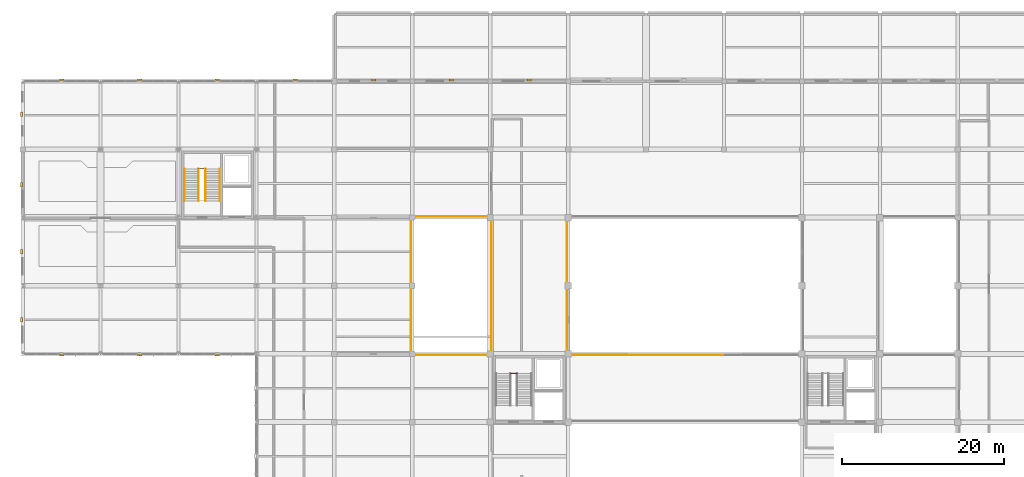
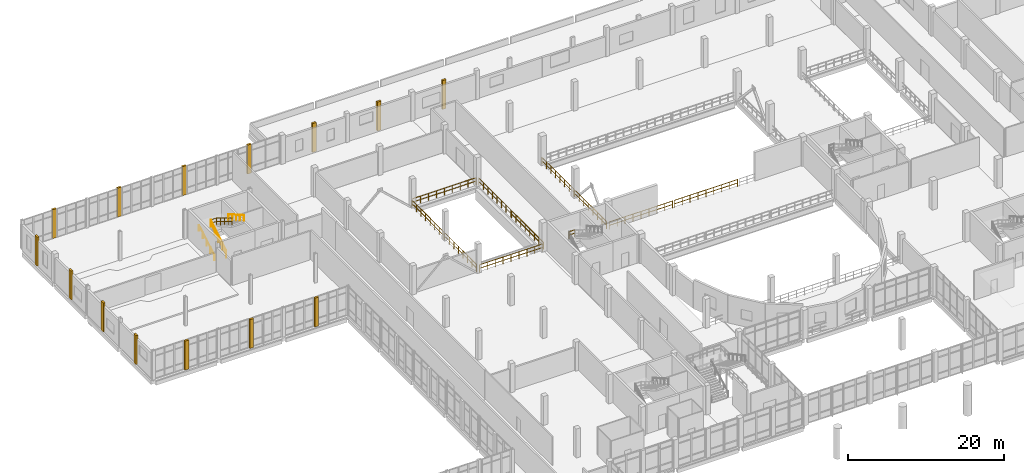
# One storey, part 99 of 102: 16 railings, 14 coverings.
"""IFC4 building model written with IfcOpenShell, lengths in metres."""

from ifc_helpers import new_model, si_unit, direction, frame, origin, origin_2d, place, context, subcontext, project, spatial, polyline, circle, outline, extrude, material, layer, layer_set, type_object, element, save


model = new_model("IFC4")

# Units and contexts
model_context = context("Model", 3, precision=1e-05, world=origin(), true_north=direction((0.0, 1.0)))
body_context = subcontext(model_context, "Body", "Model", "MODEL_VIEW")
ifc_project = project(units=[si_unit("LENGTHUNIT", "METRE"), si_unit("AREAUNIT", "SQUARE_METRE"), si_unit("VOLUMEUNIT", "CUBIC_METRE"), si_unit("PLANEANGLEUNIT", "RADIAN"), si_unit("MASSUNIT", "GRAM", prefix="KILO")], contexts=[model_context])

# Site, building, storey
site_placement = place(None, origin())
site = spatial("IfcSite", under=ifc_project, at=site_placement, CompositionType="ELEMENT")
building_placement = place(site_placement, origin())
building = spatial("IfcBuilding", under=site, at=building_placement, Name="Lornevale Opera House", CompositionType="ELEMENT")
storey_placement = place(building_placement, frame((0.0, 0.0, 5.39990234375)))
storey = spatial("IfcBuildingStorey", under=building, at=storey_placement, Name="L02", CompositionType="ELEMENT", Elevation=5.39990234375)

# Railings
ifc_material_1 = material(Name="Structural Steel CSA G40.21 Grade 350W (350 MPa)", Category="steel")
ifc_layer_1 = layer(ifc_material_1, 0.06005859375)
ifc_layer_set_1 = layer_set([ifc_layer_1], Name="Structural Steel CSA G40.21 Grade 350W (350 MPa)")
railing_type_1 = type_object("IfcRailingType", Name="Atrium Acoustic Balustrade 1120", PredefinedType="BALUSTRADE", material=ifc_layer_set_1)
for number, where, name in (
    (1, (47.860107421875, 67.320068359375, 0.0), "Atrium & Bowl Balustrade L02 0309"),
    (2, (47.860107421875, 75.719970703125, 0.0), "Atrium & Bowl Balustrade L02 0310"),
):
    element("IfcRailing", number, at=place(storey_placement, frame(where)), inside=storey, type_object=railing_type_1, Name=name, PredefinedType="BALUSTRADE", context=body_context, shape_type="SweptSolid", body=[
        extrude(circle(Radius=0.02392578125, at=origin_2d()), frame((0.0, 0.0, 1.09619140625), z_axis=(0.0, 1.0, 0.0), x_axis=(-1.0, 0.0, 0.0)), (0.0, 0.0, 1.0), 8.159912109375),
        extrude(circle(Radius=0.02392578125, at=origin_2d()), frame((0.0, 0.0, 0.56005859375), z_axis=(0.0, 1.0, 0.0), x_axis=(-1.0, 0.0, 0.0)), (0.0, 0.0, 1.0), 8.159912109375),
        extrude(circle(Radius=0.02099609375, at=origin_2d()), origin(), (0.0, 0.0, 1.0), 1.072021484375),
        extrude(circle(Radius=0.02099609375, at=origin_2d()), frame((0.0, 1.165771484375, 0.0)), (0.0, 0.0, 1.0), 1.072021484375),
        extrude(circle(Radius=0.02099609375, at=origin_2d()), frame((0.0, 2.331298828125, 0.0)), (0.0, 0.0, 1.0), 1.072021484375),
        extrude(circle(Radius=0.02099609375, at=origin_2d()), frame((0.0, 3.4970703125, 0.0)), (0.0, 0.0, 1.0), 1.072021484375),
        extrude(circle(Radius=0.02099609375, at=origin_2d()), frame((0.0, 4.662841796875, 0.0)), (0.0, 0.0, 1.0), 1.072021484375),
        extrude(circle(Radius=0.02099609375, at=origin_2d()), frame((0.0, 5.82861328125, 0.0)), (0.0, 0.0, 1.0), 1.072021484375),
        extrude(circle(Radius=0.02099609375, at=origin_2d()), frame((0.0, 6.994140625, 0.0)), (0.0, 0.0, 1.0), 1.072021484375),
        extrude(circle(Radius=0.02099609375, at=origin_2d()), frame((0.0, 8.159912109375, 0.0)), (0.0, 0.0, 1.0), 1.072021484375),
    ])
for number, where, name in (
    (3, (48.1201171875, 67.06005859375, 0.0), "Atrium & Bowl Balustrade L02 0311"),
    (4, (48.1201171875, 84.139892578125, 0.0), "Atrium & Bowl Balustrade L02 0312"),
):
    element("IfcRailing", number, at=place(storey_placement, frame(where)), inside=storey, type_object=railing_type_1, Name=name, PredefinedType="BALUSTRADE", context=body_context, shape_type="SweptSolid", body=[
        extrude(circle(Radius=0.02392578125, at=origin_2d()), frame((0.0, 0.0, 1.09619140625), z_axis=(1.0, 0.0, 0.0), x_axis=(0.0, 1.0, 0.0)), (0.0, 0.0, 1.0), 9.35986328125),
        extrude(circle(Radius=0.02392578125, at=origin_2d()), frame((0.0, 0.0, 0.56005859375), z_axis=(1.0, 0.0, 0.0), x_axis=(0.0, 1.0, 0.0)), (0.0, 0.0, 1.0), 9.35986328125),
        extrude(circle(Radius=0.02099609375, at=origin_2d()), origin(), (0.0, 0.0, 1.0), 1.072021484375),
        extrude(circle(Radius=0.02099609375, at=origin_2d()), frame((1.169921875, 0.0, 0.0)), (0.0, 0.0, 1.0), 1.072021484375),
        extrude(circle(Radius=0.02099609375, at=origin_2d()), frame((2.33984375, 0.0, 0.0)), (0.0, 0.0, 1.0), 1.072021484375),
        extrude(circle(Radius=0.02099609375, at=origin_2d()), frame((3.510009765625, 0.0, 0.0)), (0.0, 0.0, 1.0), 1.072021484375),
        extrude(circle(Radius=0.02099609375, at=origin_2d()), frame((4.679931640625, 0.0, 0.0)), (0.0, 0.0, 1.0), 1.072021484375),
        extrude(circle(Radius=0.02099609375, at=origin_2d()), frame((5.849853515625, 0.0, 0.0)), (0.0, 0.0, 1.0), 1.072021484375),
        extrude(circle(Radius=0.02099609375, at=origin_2d()), frame((7.02001953125, 0.0, 0.0)), (0.0, 0.0, 1.0), 1.072021484375),
        extrude(circle(Radius=0.02099609375, at=origin_2d()), frame((8.18994140625, 0.0, 0.0)), (0.0, 0.0, 1.0), 1.072021484375),
        extrude(circle(Radius=0.02099609375, at=origin_2d()), frame((9.35986328125, 0.0, 0.0)), (0.0, 0.0, 1.0), 1.072021484375),
    ])
for number, where, name in (
    (5, (57.739990234375, 67.320068359375, 0.0), "Atrium & Bowl Balustrade L02 0315"),
    (6, (67.06005859375, 67.320068359375, 0.0), "Atrium & Bowl Balustrade L02 0316"),
    (7, (57.739990234375, 75.719970703125, 0.0), "Atrium & Bowl Balustrade L02 0317"),
    (8, (67.06005859375, 75.719970703125, 0.0), "Atrium & Bowl Balustrade L02 0318"),
):
    element("IfcRailing", number, at=place(storey_placement, frame(where)), inside=storey, type_object=railing_type_1, Name=name, PredefinedType="BALUSTRADE", context=body_context, shape_type="SweptSolid", body=[
        extrude(circle(Radius=0.02392578125, at=origin_2d()), frame((0.0, 0.0, 1.09619140625), z_axis=(0.0, 1.0, 0.0), x_axis=(-1.0, 0.0, 0.0)), (0.0, 0.0, 1.0), 8.159912109375),
        extrude(circle(Radius=0.02392578125, at=origin_2d()), frame((0.0, 0.0, 0.56005859375), z_axis=(0.0, 1.0, 0.0), x_axis=(-1.0, 0.0, 0.0)), (0.0, 0.0, 1.0), 8.159912109375),
        extrude(circle(Radius=0.02099609375, at=origin_2d()), origin(), (0.0, 0.0, 1.0), 1.072021484375),
        extrude(circle(Radius=0.02099609375, at=origin_2d()), frame((0.0, 1.165771484375, 0.0)), (0.0, 0.0, 1.0), 1.072021484375),
        extrude(circle(Radius=0.02099609375, at=origin_2d()), frame((0.0, 2.331298828125, 0.0)), (0.0, 0.0, 1.0), 1.072021484375),
        extrude(circle(Radius=0.02099609375, at=origin_2d()), frame((0.0, 3.4970703125, 0.0)), (0.0, 0.0, 1.0), 1.072021484375),
        extrude(circle(Radius=0.02099609375, at=origin_2d()), frame((0.0, 4.662841796875, 0.0)), (0.0, 0.0, 1.0), 1.072021484375),
        extrude(circle(Radius=0.02099609375, at=origin_2d()), frame((0.0, 5.82861328125, 0.0)), (0.0, 0.0, 1.0), 1.072021484375),
        extrude(circle(Radius=0.02099609375, at=origin_2d()), frame((0.0, 6.994140625, 0.0)), (0.0, 0.0, 1.0), 1.072021484375),
        extrude(circle(Radius=0.02099609375, at=origin_2d()), frame((0.0, 8.159912109375, 0.0)), (0.0, 0.0, 1.0), 1.072021484375),
    ])
railing_1_placement = place(storey_placement, frame((67.320068359375, 67.06005859375, 0.0)))
element("IfcRailing", 9, at=railing_1_placement, inside=storey, type_object=railing_type_1, Name="Atrium & Bowl Balustrade L02 0322", PredefinedType="BALUSTRADE", context=body_context, shape_type="SweptSolid", body=[
    extrude(circle(Radius=0.02392578125, at=origin_2d()), frame((0.0, 0.0, 1.09619140625), z_axis=(1.0, 0.0, 0.0), x_axis=(0.0, 1.0, 0.0)), (0.0, 0.0, 1.0), 9.35986328125),
    extrude(circle(Radius=0.02392578125, at=origin_2d()), frame((0.0, 0.0, 0.56005859375), z_axis=(1.0, 0.0, 0.0), x_axis=(0.0, 1.0, 0.0)), (0.0, 0.0, 1.0), 9.35986328125),
    extrude(circle(Radius=0.02099609375, at=origin_2d()), origin(), (0.0, 0.0, 1.0), 1.072021484375),
    extrude(circle(Radius=0.02099609375, at=origin_2d()), frame((1.169921875, 0.0, 0.0)), (0.0, 0.0, 1.0), 1.072021484375),
    extrude(circle(Radius=0.02099609375, at=origin_2d()), frame((2.33984375, 0.0, 0.0)), (0.0, 0.0, 1.0), 1.072021484375),
    extrude(circle(Radius=0.02099609375, at=origin_2d()), frame((3.510009765625, 0.0, 0.0)), (0.0, 0.0, 1.0), 1.072021484375),
    extrude(circle(Radius=0.02099609375, at=origin_2d()), frame((4.679931640625, 0.0, 0.0)), (0.0, 0.0, 1.0), 1.072021484375),
    extrude(circle(Radius=0.02099609375, at=origin_2d()), frame((5.849853515625, 0.0, 0.0)), (0.0, 0.0, 1.0), 1.072021484375),
    extrude(circle(Radius=0.02099609375, at=origin_2d()), frame((7.02001953125, 0.0, 0.0)), (0.0, 0.0, 1.0), 1.072021484375),
    extrude(circle(Radius=0.02099609375, at=origin_2d()), frame((8.18994140625, 0.0, 0.0)), (0.0, 0.0, 1.0), 1.072021484375),
    extrude(circle(Radius=0.02099609375, at=origin_2d()), frame((9.35986328125, 0.0, 0.0)), (0.0, 0.0, 1.0), 1.072021484375),
])
railing_2_placement = place(storey_placement, frame((76.919921875, 67.06005859375, 0.0)))
element("IfcRailing", 10, at=railing_2_placement, inside=storey, type_object=railing_type_1, Name="Atrium & Bowl Balustrade L02 0327", PredefinedType="BALUSTRADE", context=body_context, shape_type="SweptSolid", body=[
    extrude(circle(Radius=0.02392578125, at=origin_2d()), frame((0.0, 0.0, 1.09619140625), z_axis=(1.0, 0.0, 0.0), x_axis=(0.0, 1.0, 0.0)), (0.0, 0.0, 1.0), 9.360107421875),
    extrude(circle(Radius=0.02392578125, at=origin_2d()), frame((0.0, 0.0, 0.56005859375), z_axis=(1.0, 0.0, 0.0), x_axis=(0.0, 1.0, 0.0)), (0.0, 0.0, 1.0), 9.360107421875),
    extrude(circle(Radius=0.02099609375, at=origin_2d()), origin(), (0.0, 0.0, 1.0), 1.072021484375),
    extrude(circle(Radius=0.02099609375, at=origin_2d()), frame((1.169921875, 0.0, 0.0)), (0.0, 0.0, 1.0), 1.072021484375),
    extrude(circle(Radius=0.02099609375, at=origin_2d()), frame((2.340087890625, 0.0, 0.0)), (0.0, 0.0, 1.0), 1.072021484375),
    extrude(circle(Radius=0.02099609375, at=origin_2d()), frame((3.510009765625, 0.0, 0.0)), (0.0, 0.0, 1.0), 1.072021484375),
    extrude(circle(Radius=0.02099609375, at=origin_2d()), frame((4.68017578125, 0.0, 0.0)), (0.0, 0.0, 1.0), 1.072021484375),
    extrude(circle(Radius=0.02099609375, at=origin_2d()), frame((5.85009765625, 0.0, 0.0)), (0.0, 0.0, 1.0), 1.072021484375),
    extrude(circle(Radius=0.02099609375, at=origin_2d()), frame((7.02001953125, 0.0, 0.0)), (0.0, 0.0, 1.0), 1.072021484375),
    extrude(circle(Radius=0.02099609375, at=origin_2d()), frame((8.190185546875, 0.0, 0.0)), (0.0, 0.0, 1.0), 1.072021484375),
    extrude(circle(Radius=0.02099609375, at=origin_2d()), frame((9.360107421875, 0.0, 0.0)), (0.0, 0.0, 1.0), 1.072021484375),
])

# Coverings
ifc_material_2 = material(Name="Precast Concrete 40 MPa (CSA A23.1 C-1)", Category="concrete")
ifc_layer_2 = layer(ifc_material_2, 0.260009765625)
ifc_layer_set_2 = layer_set([ifc_layer_2], Name="Precast Concrete 40 MPa (CSA A23.1 C-1)")
covering_type = type_object("IfcCoveringType", Name="Postmodern Sandstone Pilaster Rib", PredefinedType="CLADDING", material=ifc_layer_set_2)
covering_1_placement = place(storey_placement, origin())
element("IfcCovering", 11, at=covering_1_placement, inside=storey, type_object=covering_type, Name="Postmodern Sandstone Mullion Pier 0190", PredefinedType="CLADDING", context=body_context, shape_type="SweptSolid", body=[
    extrude(outline(polyline([(5.080078125, 67.199951171875), (4.52001953125, 67.199951171875), (4.52001953125, 66.919921875), (5.080078125, 66.919921875), (5.080078125, 67.199951171875)])), origin(), (0.0, 0.0, 1.0), 4.52001953125),
])
covering_2_placement = place(storey_placement, origin())
element("IfcCovering", 12, at=covering_2_placement, inside=storey, type_object=covering_type, Name="Postmodern Sandstone Pilaster 0191", PredefinedType="CLADDING", context=body_context, shape_type="SweptSolid", body=[
    extrude(outline(polyline([(0.0, 71.1201171875), (0.0, 71.679931640625), (-0.280029296875, 71.679931640625), (-0.280029296875, 71.1201171875), (0.0, 71.1201171875)])), origin(), (0.0, 0.0, 1.0), 4.52001953125),
])
covering_3_placement = place(storey_placement, origin())
element("IfcCovering", 13, at=covering_3_placement, inside=storey, type_object=covering_type, Name="Postmodern Sandstone Pilaster 0192", PredefinedType="CLADDING", context=body_context, shape_type="SweptSolid", body=[
    extrude(outline(polyline([(0.0, 79.52001953125), (0.0, 80.080078125), (-0.280029296875, 80.080078125), (-0.280029296875, 79.52001953125), (0.0, 79.52001953125)])), origin(), (0.0, 0.0, 1.0), 4.52001953125),
])
covering_4_placement = place(storey_placement, origin())
element("IfcCovering", 14, at=covering_4_placement, inside=storey, type_object=covering_type, Name="Postmodern Sandstone Pilaster 0193", PredefinedType="CLADDING", context=body_context, shape_type="SweptSolid", body=[
    extrude(outline(polyline([(0.0, 87.76708984375), (0.0, 88.326904296875), (-0.280029296875, 88.326904296875), (-0.280029296875, 87.76708984375), (0.0, 87.76708984375)])), origin(), (0.0, 0.0, 1.0), 4.52001953125),
])
covering_5_placement = place(storey_placement, origin())
element("IfcCovering", 15, at=covering_5_placement, inside=storey, type_object=covering_type, Name="Postmodern Sandstone Mullion Pier 0194", PredefinedType="CLADDING", context=body_context, shape_type="SweptSolid", body=[
    extrude(outline(polyline([(4.52001953125, 100.800048828125), (5.080078125, 100.800048828125), (5.080078125, 101.080078125), (4.52001953125, 101.080078125), (4.52001953125, 100.800048828125)])), origin(), (0.0, 0.0, 1.0), 4.52001953125),
])
covering_6_placement = place(storey_placement, origin())
element("IfcCovering", 16, at=covering_6_placement, inside=storey, type_object=covering_type, Name="Postmodern Sandstone Pilaster 0195", PredefinedType="CLADDING", context=body_context, shape_type="SweptSolid", body=[
    extrude(outline(polyline([(0.0, 96.471923828125), (0.0, 97.031982421875), (-0.280029296875, 97.031982421875), (-0.280029296875, 96.471923828125), (0.0, 96.471923828125)])), origin(), (0.0, 0.0, 1.0), 4.52001953125),
])
covering_7_placement = place(storey_placement, origin())
element("IfcCovering", 17, at=covering_7_placement, inside=storey, type_object=covering_type, Name="Postmodern Sandstone Mullion Pier 0198", PredefinedType="CLADDING", context=body_context, shape_type="SweptSolid", body=[
    extrude(outline(polyline([(14.679931640625, 67.199951171875), (14.1201171875, 67.199951171875), (14.1201171875, 66.919921875), (14.679931640625, 66.919921875), (14.679931640625, 67.199951171875)])), origin(), (0.0, 0.0, 1.0), 4.52001953125),
])
covering_8_placement = place(storey_placement, origin())
element("IfcCovering", 18, at=covering_8_placement, inside=storey, type_object=covering_type, Name="Postmodern Sandstone Mullion Pier 0199", PredefinedType="CLADDING", context=body_context, shape_type="SweptSolid", body=[
    extrude(outline(polyline([(14.1201171875, 100.800048828125), (14.679931640625, 100.800048828125), (14.679931640625, 101.080078125), (14.1201171875, 101.080078125), (14.1201171875, 100.800048828125)])), origin(), (0.0, 0.0, 1.0), 4.52001953125),
])
covering_9_placement = place(storey_placement, origin())
element("IfcCovering", 19, at=covering_9_placement, inside=storey, type_object=covering_type, Name="Postmodern Sandstone Mullion Pier 0202", PredefinedType="CLADDING", context=body_context, shape_type="SweptSolid", body=[
    extrude(outline(polyline([(24.280029296875, 67.199951171875), (23.719970703125, 67.199951171875), (23.719970703125, 66.919921875), (24.280029296875, 66.919921875), (24.280029296875, 67.199951171875)])), origin(), (0.0, 0.0, 1.0), 4.52001953125),
])
covering_10_placement = place(storey_placement, origin())
element("IfcCovering", 20, at=covering_10_placement, inside=storey, type_object=covering_type, Name="Postmodern Sandstone Mullion Pier 0203", PredefinedType="CLADDING", context=body_context, shape_type="SweptSolid", body=[
    extrude(outline(polyline([(23.719970703125, 100.800048828125), (24.280029296875, 100.800048828125), (24.280029296875, 101.080078125), (23.719970703125, 101.080078125), (23.719970703125, 100.800048828125)])), origin(), (0.0, 0.0, 1.0), 4.52001953125),
])
covering_11_placement = place(storey_placement, origin())
element("IfcCovering", 21, at=covering_11_placement, inside=storey, type_object=covering_type, Name="Postmodern Sandstone Mullion Pier 0212", PredefinedType="CLADDING", context=body_context, shape_type="SweptSolid", body=[
    extrude(outline(polyline([(33.320068359375, 100.800048828125), (33.8798828125, 100.800048828125), (33.8798828125, 101.080078125), (33.320068359375, 101.080078125), (33.320068359375, 100.800048828125)])), origin(), (0.0, 0.0, 1.0), 4.52001953125),
])
covering_12_placement = place(storey_placement, origin())
element("IfcCovering", 22, at=covering_12_placement, inside=storey, type_object=covering_type, Name="Postmodern Sandstone Pilaster 0214", PredefinedType="CLADDING", context=body_context, shape_type="SweptSolid", body=[
    extrude(outline(polyline([(42.945068359375, 100.800048828125), (43.5048828125, 100.800048828125), (43.5048828125, 101.080078125), (42.945068359375, 101.080078125), (42.945068359375, 100.800048828125)])), origin(), (0.0, 0.0, 1.0), 4.52001953125),
])
covering_13_placement = place(storey_placement, origin())
element("IfcCovering", 23, at=covering_13_placement, inside=storey, type_object=covering_type, Name="Postmodern Sandstone Pilaster 0216", PredefinedType="CLADDING", context=body_context, shape_type="SweptSolid", body=[
    extrude(outline(polyline([(52.508056640625, 100.800048828125), (53.068115234375, 100.800048828125), (53.068115234375, 101.080078125), (52.508056640625, 101.080078125), (52.508056640625, 100.800048828125)])), origin(), (0.0, 0.0, 1.0), 4.52001953125),
])
covering_14_placement = place(storey_placement, origin())
element("IfcCovering", 24, at=covering_14_placement, inside=storey, type_object=covering_type, Name="Postmodern Sandstone Pilaster 0218", PredefinedType="CLADDING", context=body_context, shape_type="SweptSolid", body=[
    extrude(outline(polyline([(62.133056640625, 100.800048828125), (62.693115234375, 100.800048828125), (62.693115234375, 101.080078125), (62.133056640625, 101.080078125), (62.133056640625, 100.800048828125)])), origin(), (0.0, 0.0, 1.0), 4.52001953125),
])

# Railings
ifc_layer_3 = layer(ifc_material_1, 0.050048828125)
ifc_layer_set_3 = layer_set([ifc_layer_3], Name="Structural Steel CSA G40.21 Grade 350W (350 MPa)")
railing_type_2 = type_object("IfcRailingType", Name="Stair Well Guardrail 1100", PredefinedType="GUARDRAIL", material=ifc_layer_set_3)
railing_3_placement = place(storey_placement, frame((21.679931640625, 86.06005859375, 0.0)))
element("IfcRailing", 25, at=railing_3_placement, inside=storey, type_object=railing_type_2, Name="ST-14 Inner Well Guard F1", PredefinedType="GUARDRAIL", context=body_context, shape_type="SweptSolid", body=[
    extrude(circle(Radius=0.02392578125, at=origin_2d()), frame((0.0, 0.0, 1.076171875), z_axis=(0.0, 0.852832477147, 0.522184609045), x_axis=(-1.0, 0.0, 0.0)), (0.0, 0.0, 1.0), 4.596435546875),
    extrude(circle(Radius=0.02392578125, at=origin_2d()), frame((0.0, 0.0, 0.550048828125), z_axis=(0.0, 0.852832477147, 0.522184609045), x_axis=(-1.0, 0.0, 0.0)), (0.0, 0.0, 1.0), 4.596435546875),
    extrude(circle(Radius=0.02099609375, at=origin_2d()), origin(), (0.0, 0.0, 1.0), 1.052001953125),
    extrude(circle(Radius=0.02099609375, at=origin_2d()), frame((0.0, 0.97998046875, 0.60009765625)), (0.0, 0.0, 1.0), 1.052001953125),
    extrude(circle(Radius=0.02099609375, at=origin_2d()), frame((0.0, 1.9599609375, 1.2001953125)), (0.0, 0.0, 1.0), 1.052001953125),
    extrude(circle(Radius=0.02099609375, at=origin_2d()), frame((0.0, 2.93994140625, 1.800048828125)), (0.0, 0.0, 1.0), 1.052001953125),
    extrude(circle(Radius=0.02099609375, at=origin_2d()), frame((0.0, 3.919921875, 2.400146484375)), (0.0, 0.0, 1.0), 1.052001953125),
])
railing_4_placement = place(storey_placement, frame((22.52001953125, 89.97998046875, 2.400146484375)))
element("IfcRailing", 26, at=railing_4_placement, inside=storey, type_object=railing_type_2, Name="ST-14 Inner Well Guard F2", PredefinedType="GUARDRAIL", context=body_context, shape_type="SweptSolid", body=[
    extrude(circle(Radius=0.02392578125, at=origin_2d()), frame((0.0, 0.0, 1.076171875), z_axis=(0.0, -0.852856131449, 0.522145974847), x_axis=(1.0, 0.0, 0.0)), (0.0, 0.0, 1.0), 4.59619140625),
    extrude(circle(Radius=0.02392578125, at=origin_2d()), frame((0.0, 0.0, 0.550048828125), z_axis=(0.0, -0.852856131449, 0.522145974847), x_axis=(1.0, 0.0, 0.0)), (0.0, 0.0, 1.0), 4.59619140625),
    extrude(circle(Radius=0.02099609375, at=origin_2d()), origin(), (0.0, 0.0, 1.0), 1.052001953125),
    extrude(circle(Radius=0.02099609375, at=origin_2d()), frame((0.0, -0.97998046875, 0.60009765625)), (0.0, 0.0, 1.0), 1.052001953125),
    extrude(circle(Radius=0.02099609375, at=origin_2d()), frame((0.0, -1.9599609375, 1.199951171875)), (0.0, 0.0, 1.0), 1.052001953125),
    extrude(circle(Radius=0.02099609375, at=origin_2d()), frame((0.0, -2.93994140625, 1.7998046875)), (0.0, 0.0, 1.0), 1.052001953125),
    extrude(circle(Radius=0.02099609375, at=origin_2d()), frame((0.0, -3.919921875, 2.39990234375)), (0.0, 0.0, 1.0), 1.052001953125),
])
railing_5_placement = place(storey_placement, frame((21.679931640625, 90.010009765625, 2.400146484375)))
element("IfcRailing", 27, at=railing_5_placement, inside=storey, type_object=railing_type_2, Name="ST-14 Half-Landing Slot Guard", PredefinedType="GUARDRAIL", context=body_context, shape_type="SweptSolid", body=[
    extrude(circle(Radius=0.02392578125, at=origin_2d()), frame((0.0, 0.0, 1.076171875), z_axis=(1.0, 0.0, 0.0), x_axis=(0.0, 1.0, 0.0)), (0.0, 0.0, 1.0), 0.840087890625),
    extrude(circle(Radius=0.02392578125, at=origin_2d()), frame((0.0, 0.0, 0.550048828125), z_axis=(1.0, 0.0, 0.0), x_axis=(0.0, 1.0, 0.0)), (0.0, 0.0, 1.0), 0.840087890625),
    extrude(circle(Radius=0.02099609375, at=origin_2d()), origin(), (0.0, 0.0, 1.0), 1.052001953125),
    extrude(circle(Radius=0.02099609375, at=origin_2d()), frame((0.840087890625, 0.0, 0.0)), (0.0, 0.0, 1.0), 1.052001953125),
])
railing_6_placement = place(storey_placement, frame((60.080078125, 64.81005859375, 2.400146484375)))
element("IfcRailing", 28, at=railing_6_placement, inside=storey, type_object=railing_type_2, Name="ST-17 Half-Landing Slot Guard", PredefinedType="GUARDRAIL", context=body_context, shape_type="SweptSolid", body=[
    extrude(circle(Radius=0.02392578125, at=origin_2d()), frame((0.0, 0.0, 1.076171875), z_axis=(1.0, 0.0, 0.0), x_axis=(0.0, 1.0, 0.0)), (0.0, 0.0, 1.0), 0.83984375),
    extrude(circle(Radius=0.02392578125, at=origin_2d()), frame((0.0, 0.0, 0.550048828125), z_axis=(1.0, 0.0, 0.0), x_axis=(0.0, 1.0, 0.0)), (0.0, 0.0, 1.0), 0.83984375),
    extrude(circle(Radius=0.02099609375, at=origin_2d()), origin(), (0.0, 0.0, 1.0), 1.052001953125),
    extrude(circle(Radius=0.02099609375, at=origin_2d()), frame((0.83984375, 0.0, 0.0)), (0.0, 0.0, 1.0), 1.052001953125),
])
ifc_layer_4 = layer(ifc_material_1, 0.048095703125)
ifc_layer_set_4 = layer_set([ifc_layer_4], Name="Structural Steel CSA G40.21 Grade 350W (350 MPa)")
railing_type_3 = type_object("IfcRailingType", Name="Tubular Stair Handrail 915", PredefinedType="HANDRAIL", material=ifc_layer_set_4)
railing_7_placement = place(storey_placement, frame((19.919921875, 86.06005859375, 0.1630859375)))
element("IfcRailing", 29, at=railing_7_placement, inside=storey, type_object=railing_type_3, Name="ST-14 Outer Handrail F1", PredefinedType="HANDRAIL", context=body_context, shape_type="SweptSolid", body=[
    extrude(circle(Radius=0.02392578125, at=origin_2d()), frame((0.0, 0.0, 0.89111328125), z_axis=(0.0, 0.868239814368, 0.496144761885), x_axis=(-1.0, 0.0, 0.0)), (0.0, 0.0, 1.0), 4.514892578125),
    extrude(circle(Radius=0.02099609375, at=origin_2d()), origin(), (0.0, 0.0, 1.0), 0.866943359375),
    extrude(circle(Radius=0.02099609375, at=origin_2d()), frame((0.0, 0.97998046875, 0.56005859375)), (0.0, 0.0, 1.0), 0.866943359375),
    extrude(circle(Radius=0.02099609375, at=origin_2d()), frame((0.0, 1.9599609375, 1.1201171875)), (0.0, 0.0, 1.0), 0.866943359375),
    extrude(circle(Radius=0.02099609375, at=origin_2d()), frame((0.0, 2.93994140625, 1.679931640625)), (0.0, 0.0, 1.0), 0.866943359375),
    extrude(circle(Radius=0.02099609375, at=origin_2d()), frame((0.0, 3.919921875, 2.239990234375)), (0.0, 0.0, 1.0), 0.866943359375),
])
railing_8_placement = place(storey_placement, frame((24.280029296875, 89.97998046875, 2.56298828125)))
element("IfcRailing", 30, at=railing_8_placement, inside=storey, type_object=railing_type_3, Name="ST-14 Outer Handrail F2", PredefinedType="HANDRAIL", context=body_context, shape_type="SweptSolid", body=[
    extrude(circle(Radius=0.02392578125, at=origin_2d()), frame((0.0, 0.0, 0.89111328125), z_axis=(0.0, -0.868239814368, 0.496144761885), x_axis=(1.0, 0.0, 0.0)), (0.0, 0.0, 1.0), 4.514892578125),
    extrude(circle(Radius=0.02099609375, at=origin_2d()), origin(), (0.0, 0.0, 1.0), 0.866943359375),
    extrude(circle(Radius=0.02099609375, at=origin_2d()), frame((0.0, -0.97998046875, 0.56005859375)), (0.0, 0.0, 1.0), 0.866943359375),
    extrude(circle(Radius=0.02099609375, at=origin_2d()), frame((0.0, -1.9599609375, 1.1201171875)), (0.0, 0.0, 1.0), 0.866943359375),
    extrude(circle(Radius=0.02099609375, at=origin_2d()), frame((0.0, -2.93994140625, 1.679931640625)), (0.0, 0.0, 1.0), 0.866943359375),
    extrude(circle(Radius=0.02099609375, at=origin_2d()), frame((0.0, -3.919921875, 2.239990234375)), (0.0, 0.0, 1.0), 0.866943359375),
])

save(model, "model.ifc")
